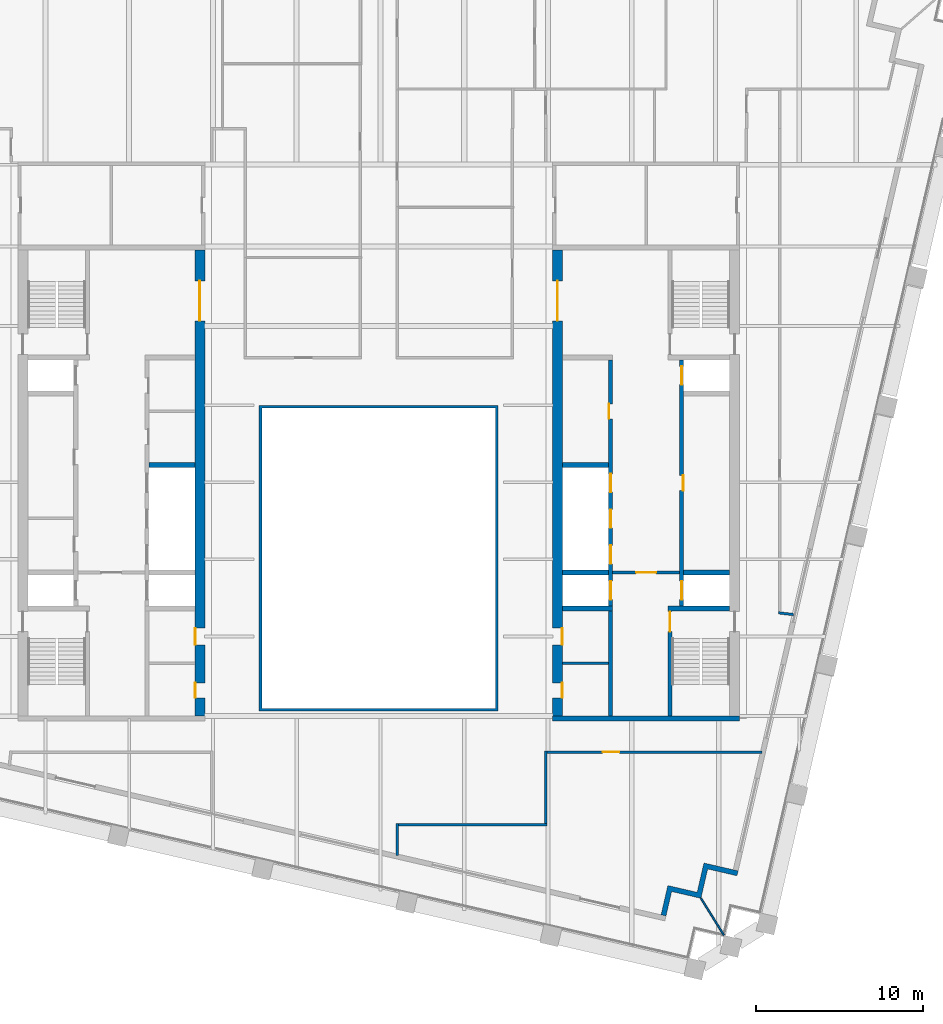
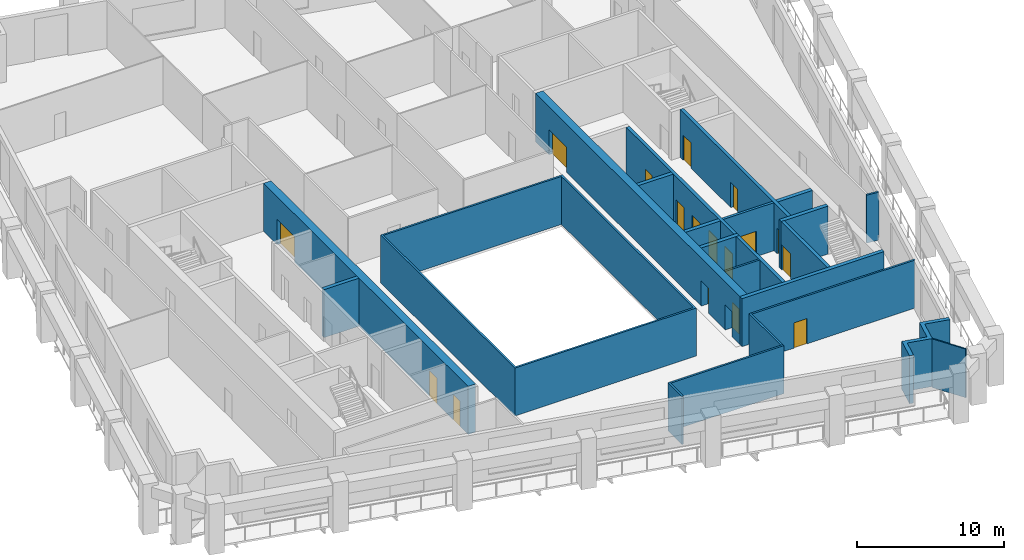
# One storey, part 5 of 11: 22 walls, 17 doors, 17 openings.
"""IFC4 building model written with IfcOpenShell, lengths in metres."""

from ifc_helpers import new_model, si_unit, direction, frame, frame_2d, origin, place, context, subcontext, project, spatial, polyline, rectangle, outline, extrude, material, layer, layer_set, type_object, element, fill, save


model = new_model("IFC4")

# Units and contexts
model_context = context("Model", 3, precision=1e-05, world=origin(), true_north=direction((0.0, 1.0)))
body_context = subcontext(model_context, "Body", "Model", "MODEL_VIEW")
ifc_project = project(units=[si_unit("LENGTHUNIT", "METRE"), si_unit("AREAUNIT", "SQUARE_METRE"), si_unit("VOLUMEUNIT", "CUBIC_METRE"), si_unit("PLANEANGLEUNIT", "RADIAN"), si_unit("MASSUNIT", "GRAM", prefix="KILO")], contexts=[model_context])

# Site, building, storey
site_placement = place(None, origin())
site = spatial("IfcSite", under=ifc_project, at=site_placement, CompositionType="ELEMENT")
building_placement = place(site_placement, origin())
building = spatial("IfcBuilding", under=site, at=building_placement, Name="Ogive Exchange Tower", CompositionType="ELEMENT")
storey_placement = place(building_placement, frame((0.0, 0.0, 247.199951171875)))
storey = spatial("IfcBuildingStorey", under=building, at=storey_placement, Name="L53", CompositionType="ELEMENT", Elevation=247.199951171875)

# Walls
ifc_material_1 = material(Name="Gypsum board partition")
ifc_layer_1 = layer(ifc_material_1, 0.14990234375)
ifc_layer_set_1 = layer_set([ifc_layer_1], Name="Core room partition 150 gypsum")
wall_type_1 = type_object("IfcWallType", Name="Core room partition 150 gypsum", PredefinedType="PARTITIONING", material=ifc_layer_set_1)
wall_1_placement = place(storey_placement, frame((11.0, 0.699951171875, 0.0), z_axis=(0.0, 0.0, 1.0), x_axis=(1.0, 0.0, 0.0)))
element("IfcWall", 1, at=wall_1_placement, inside=storey, type_object=wall_type_1, Name="E south room partition", PredefinedType="PARTITIONING", context=body_context, shape_type="SweptSolid", body=[
    extrude(rectangle(XDim=2.75, YDim=0.14990234375, at=frame_2d((1.375, 0.0))), origin(), (0.0, 0.0, 1.0), 4.0),
])
ifc_material_2 = material(Name="Fire partition EI 60 150")
ifc_layer_2 = layer(ifc_material_2, 0.14990234375)
ifc_layer_set_2 = layer_set([ifc_layer_2], Name="Fire partition EI 60 150")
wall_type_2 = type_object("IfcWallType", Name="Fire partition EI 60 150", PredefinedType="PARTITIONING", material=ifc_layer_set_2)
wall_2_placement = place(storey_placement, frame((1.10009765625, -8.864990234375, 0.0), z_axis=(0.0, 0.0, 1.0), x_axis=(0.0, -1.0, 0.0)))
element("IfcWall", 2, at=wall_2_placement, inside=storey, type_object=wall_type_2, Name="L53-PWL-027", PredefinedType="PARTITIONING", context=body_context, shape_type="SweptSolid", body=[
    extrude(rectangle(XDim=1.9130859375, YDim=0.14990234375, at=frame_2d((0.95654296875, 0.0))), origin(), (0.0, 0.0, 1.0), 4.0),
])
wall_3_placement = place(storey_placement, frame((10.074951171875, -8.93994140625, 0.0), z_axis=(0.0, 0.0, 1.0), x_axis=(-1.0, 0.0, 0.0)))
element("IfcWall", 3, at=wall_3_placement, inside=storey, type_object=wall_type_2, Name="L53-PWL-042", PredefinedType="PARTITIONING", context=body_context, shape_type="SweptSolid", body=[
    extrude(rectangle(XDim=8.89990234375, YDim=0.14990234375, at=frame_2d((4.449951171875, 0.0))), origin(), (0.0, 0.0, 1.0), 4.0),
])
wall_4_placement = place(storey_placement, frame((10.0, -4.52490234375, 0.0), z_axis=(0.0, 0.0, 1.0), x_axis=(0.0, -1.0, 0.0)))
element("IfcWall", 4, at=wall_4_placement, inside=storey, type_object=wall_type_2, Name="L53-PWL-043", PredefinedType="PARTITIONING", context=body_context, shape_type="SweptSolid", body=[
    extrude(rectangle(XDim=4.340087890625, YDim=0.14990234375, at=frame_2d((2.169921875, 0.0))), origin(), (0.0, 0.0, 1.0), 4.0),
])

# Wall, opening, door
wall_5_placement = place(storey_placement, frame((22.922119140625, -4.60009765625, 0.0), z_axis=(0.0, 0.0, 1.0), x_axis=(-1.0, 0.0, 0.0)))
wall_5 = element("IfcWall", 5, at=wall_5_placement, inside=storey, type_object=wall_type_2, Name="L53-PWL-051", PredefinedType="PARTITIONING", context=body_context, shape_type="SweptSolid", body=[
    extrude(rectangle(XDim=12.84716796875, YDim=0.14990234375, at=frame_2d((6.423583984375, 0.0))), origin(), (0.0, 0.0, 1.0), 4.0),
])
opening_1_placement = place(wall_5_placement, frame((8.52197265625, 0.0, 0.0)))
opening_1 = element("IfcOpeningElement", 6, at=opening_1_placement, cuts=wall_5, Name="Opening L53-I15", PredefinedType="OPENING", context=body_context, shape_type="SweptSolid", body=[
    extrude(rectangle(XDim=1.0, YDim=2.10009765625, at=frame_2d((0.5, 1.050048828125))), frame((0.0, 0.0849609375, 0.0), z_axis=(0.0, -1.0, 0.0), x_axis=(1.0, 0.0, 0.0)), (0.0, 0.0, 1.0), 0.169921875),
])
ifc_material_3 = material(Name="Fire door FD 30S 1000 x 2100")
door_type_1 = type_object("IfcDoorType", Name="Fire door FD 30S 1000 x 2100", OperationType="NOTDEFINED", PredefinedType="DOOR", material=ifc_material_3)
door_1_placement = place(opening_1_placement, origin())
door_1 = element("IfcDoor", 7, at=door_1_placement, inside=storey, type_object=door_type_1, Name="L53-IDR-015", ObjectType="DT3", OperationType="SINGLE_SWING_LEFT", OverallHeight=2.10009765625, OverallWidth=1.0, PredefinedType="DOOR", context=body_context, shape_type="SweptSolid", body=[
    extrude(rectangle(XDim=1.0, YDim=2.10009765625, at=frame_2d((0.5, 1.050048828125))), frame((0.0, 0.02490234375, 0.0), z_axis=(0.0, -1.0, 0.0), x_axis=(1.0, 0.0, 0.0)), (0.0, 0.0, 1.0), 0.050048828125),
])
fill(opening_1, door_1)

# Walls
wall_6_placement = place(storey_placement, frame((23.925048828125, 3.72900390625, 0.0), z_axis=(0.0, 0.0, 1.0), x_axis=(0.993316052643, -0.115426251616, 0.0)))
element("IfcWall", 8, at=wall_6_placement, inside=storey, type_object=wall_type_2, Name="L53-PWL-054", PredefinedType="PARTITIONING", context=body_context, shape_type="SweptSolid", body=[
    extrude(rectangle(XDim=0.901123046875, YDim=0.14990234375, at=frame_2d((0.45068359375, 0.0))), origin(), (0.0, 0.0, 1.0), 4.0),
])
ifc_material_4 = material(Name="Fire-resisting glass in steel frame", Category="steel")
ifc_layer_3 = layer(ifc_material_4, 0.14990234375)
ifc_layer_set_3 = layer_set([ifc_layer_3], Name="Fire-rated glazed wall 150")
wall_type_3 = type_object("IfcWallType", Name="Fire-rated glazed wall 150", PredefinedType="STANDARD", material=ifc_layer_set_3)
wall_7_placement = place(storey_placement, origin())
element("IfcWall", 9, at=wall_7_placement, inside=storey, type_object=wall_type_3, Name="Nave enclosure wall", PredefinedType="STANDARD", context=body_context, shape_type="SweptSolid", body=[
    extrude(outline(polyline([(-7.14990234375, -2.14990234375), (7.14990234375, -2.14990234375), (7.14990234375, 16.14990234375), (-7.14990234375, 16.14990234375), (-7.14990234375, -2.14990234375)]), holes=[polyline([(-7.0, -2.0), (-7.0, 16.0), (7.0, 16.0), (7.0, -2.0), (-7.0, -2.0)])]), origin(), (0.0, 0.0, 1.0), 4.0),
])
ifc_material_5 = material(Name="Precast concrete C40/50", Category="concrete")
ifc_layer_4 = layer(ifc_material_5, 0.300048828125)
ifc_layer_set_4 = layer_set([ifc_layer_4], Name="Limestone-faced wall 300")
wall_type_4 = type_object("IfcWallType", Name="Limestone-faced wall 300", PredefinedType="STANDARD", material=ifc_layer_set_4)
wall_8_placement = place(storey_placement, origin())
element("IfcWall", 10, at=wall_8_placement, inside=storey, type_object=wall_type_4, Name="External corner wall C1", PredefinedType="STANDARD", context=body_context, shape_type="SweptSolid", body=[
    extrude(outline(polyline([(19.053955078125, -12.993408203125), (19.458740234375, -11.239501953125), (21.5048828125, -11.7119140625), (21.4375, -12.004150390625), (19.68359375, -11.599365234375), (19.27880859375, -13.353271484375), (17.52490234375, -12.9482421875), (17.1875, -14.409912109375), (16.89501953125, -14.34228515625), (17.300048828125, -12.58837890625), (19.053955078125, -12.993408203125)])), origin(), (0.0, 0.0, 1.0), 4.0),
])
ifc_material_6 = material(Name="Laminated safety glass in steel frame", Category="steel")
ifc_layer_5 = layer(ifc_material_6, 0.10009765625)
ifc_layer_set_5 = layer_set([ifc_layer_5], Name="Loggia end screen 100")
wall_type_5 = type_object("IfcWallType", Name="Loggia end screen 100", PredefinedType="STANDARD", material=ifc_layer_set_5)
wall_9_placement = place(storey_placement, frame((19.27880859375, -13.353271484375, -0.050048828125), z_axis=(0.0, 0.0, 1.0), x_axis=(0.529914407191, -0.848051131154, 0.0)))
element("IfcWall", 11, at=wall_9_placement, inside=storey, type_object=wall_type_5, Name="Loggia end screen C1", PredefinedType="STANDARD", context=body_context, shape_type="SweptSolid", body=[
    extrude(rectangle(XDim=2.59619140625, YDim=0.10009765625, at=frame_2d((1.298095703125, 0.0))), origin(), (0.0, 0.0, 1.0), 4.050048828125),
])

# Wall, opening, door
ifc_material_7 = material(Name="Concrete C70/85", Category="concrete")
ifc_layer_6 = layer(ifc_material_7, 0.199951171875)
ifc_layer_set_6 = layer_set([ifc_layer_6], Name="RC core wall 200 C70/85")
wall_type_6 = type_object("IfcWallType", Name="RC core wall 200 C70/85", PredefinedType="SHEAR", material=ifc_layer_set_6)
wall_10_placement = place(storey_placement, frame((14.0, 6.142822265625, 0.0), z_axis=(0.0, 0.0, 1.0), x_axis=(1.0, 0.0, 0.0)))
wall_10 = element("IfcWall", 12, at=wall_10_placement, inside=storey, type_object=wall_type_6, Name="E firefighting lobby wall", PredefinedType="SHEAR", context=body_context, shape_type="SweptSolid", body=[
    extrude(rectangle(XDim=4.0, YDim=0.199951171875, at=frame_2d((2.0, 0.0))), origin(), (0.0, 0.0, 1.0), 4.0),
])
opening_2_placement = place(wall_10_placement, frame((1.39990234375, 0.0, 0.0)))
opening_2 = element("IfcOpeningElement", 13, at=opening_2_placement, cuts=wall_10, Name="Opening L53-C29", PredefinedType="OPENING", context=body_context, shape_type="SweptSolid", body=[
    extrude(rectangle(XDim=1.199951171875, YDim=2.10009765625, at=frame_2d((0.60009765625, 1.050048828125))), frame((0.0, 0.10986328125, 0.0), z_axis=(0.0, -1.0, 0.0), x_axis=(1.0, 0.0, 0.0)), (0.0, 0.0, 1.0), 0.219970703125),
])
ifc_material_8 = material(Name="Steel fire door", Category="steel")
door_type_2 = type_object("IfcDoorType", Name="Firefighting lobby door FD60 1200 x 2100", OperationType="NOTDEFINED", PredefinedType="DOOR", material=ifc_material_8)
door_2_placement = place(opening_2_placement, frame((1.199951171875, 0.0, 0.0), z_axis=(0.0, 0.0, 1.0), x_axis=(-1.0, 0.0, 0.0)))
door_2 = element("IfcDoor", 14, at=door_2_placement, inside=storey, type_object=door_type_2, Name="Firefighting lobby door", ObjectType="CD3", OperationType="SINGLE_SWING_LEFT", OverallHeight=2.10009765625, OverallWidth=1.199951171875, PredefinedType="DOOR", context=body_context, shape_type="SweptSolid", body=[
    extrude(rectangle(XDim=1.199951171875, YDim=2.10009765625, at=frame_2d((0.60009765625, 1.050048828125))), frame((0.0, 0.02490234375, 0.0), z_axis=(0.0, -1.0, 0.0), x_axis=(1.0, 0.0, 0.0)), (0.0, 0.0, 1.0), 0.050048828125),
])
fill(opening_2, door_2)

ifc_layer_7 = layer(ifc_material_7, 0.25)
ifc_layer_set_7 = layer_set([ifc_layer_7], Name="RC core wall 250 C70/85")
wall_type_7 = type_object("IfcWallType", Name="RC core wall 250 C70/85", PredefinedType="SHEAR", material=ifc_layer_set_7)
wall_11_placement = place(storey_placement, frame((17.425048828125, -2.449951171875, 0.0), z_axis=(0.0, 0.0, 1.0), x_axis=(0.0, 1.0, 0.0)))
wall_11 = element("IfcWall", 15, at=wall_11_placement, inside=storey, type_object=wall_type_7, Name="E stair S front wall", PredefinedType="SHEAR", context=body_context, shape_type="SweptSolid", body=[
    extrude(rectangle(XDim=6.300048828125, YDim=0.25, at=frame_2d((3.14990234375, 0.0))), origin(), (0.0, 0.0, 1.0), 4.0),
])
opening_3_placement = place(wall_11_placement, frame((5.050048828125, 0.0, 0.0)))
opening_3 = element("IfcOpeningElement", 16, at=opening_3_placement, cuts=wall_11, Name="Opening L53-C31", PredefinedType="OPENING", context=body_context, shape_type="SweptSolid", body=[
    extrude(rectangle(XDim=1.199951171875, YDim=2.10009765625, at=frame_2d((0.60009765625, 1.050048828125))), frame((0.0, 0.135009765625, 0.0), z_axis=(0.0, -1.0, 0.0), x_axis=(1.0, 0.0, 0.0)), (0.0, 0.0, 1.0), 0.27001953125),
])
door_type_3 = type_object("IfcDoorType", Name="Stair door FD90 1200 x 2100", OperationType="NOTDEFINED", PredefinedType="DOOR", material=ifc_material_8)
door_3_placement = place(opening_3_placement, frame((1.199951171875, 0.0, 0.0), z_axis=(0.0, 0.0, 1.0), x_axis=(-1.0, 0.0, 0.0)))
door_3 = element("IfcDoor", 17, at=door_3_placement, inside=storey, type_object=door_type_3, Name="Stair door", ObjectType="CD5", OperationType="SINGLE_SWING_RIGHT", OverallHeight=2.10009765625, OverallWidth=1.199951171875, PredefinedType="DOOR", context=body_context, shape_type="SweptSolid", body=[
    extrude(rectangle(XDim=1.199951171875, YDim=2.10009765625, at=frame_2d((0.60009765625, 1.050048828125))), frame((0.0, 0.02490234375, 0.0), z_axis=(0.0, -1.0, 0.0), x_axis=(1.0, 0.0, 0.0)), (0.0, 0.0, 1.0), 0.050048828125),
])
fill(opening_3, door_3)

# Wall, openings, doors
wall_12_placement = place(storey_placement, frame((18.125, 4.14990234375, 0.0), z_axis=(0.0, 0.0, 1.0), x_axis=(0.0, 1.0, 0.0)))
wall_12 = element("IfcWall", 18, at=wall_12_placement, inside=storey, type_object=wall_type_7, Name="E row A front wall", PredefinedType="SHEAR", context=body_context, shape_type="SweptSolid", body=[
    extrude(rectangle(XDim=14.7001953125, YDim=0.25, at=frame_2d((7.35009765625, 0.0))), origin(), (0.0, 0.0, 1.0), 4.0),
])
opening_4_placement = place(wall_12_placement, frame((6.89990234375, 0.0, 0.0)))
opening_4 = element("IfcOpeningElement", 19, at=opening_4_placement, cuts=wall_12, Name="Opening L53-C21", PredefinedType="OPENING", context=body_context, shape_type="SweptSolid", body=[
    extrude(rectangle(XDim=0.89990234375, YDim=2.10009765625, at=frame_2d((0.449951171875, 1.050048828125))), frame((0.0, 0.135009765625, 0.0), z_axis=(0.0, -1.0, 0.0), x_axis=(1.0, 0.0, 0.0)), (0.0, 0.0, 1.0), 0.27001953125),
])
opening_5_placement = place(wall_12_placement, frame((0.371337890625, 0.0, 0.0)))
opening_5 = element("IfcOpeningElement", 20, at=opening_5_placement, cuts=wall_12, Name="Opening L53-C22", PredefinedType="OPENING", context=body_context, shape_type="SweptSolid", body=[
    extrude(rectangle(XDim=1.10009765625, YDim=2.10009765625, at=frame_2d((0.550048828125, 1.050048828125))), frame((0.0, 0.135009765625, 0.0), z_axis=(0.0, -1.0, 0.0), x_axis=(1.0, 0.0, 0.0)), (0.0, 0.0, 1.0), 0.27001953125),
])
opening_6_placement = place(wall_12_placement, frame((13.228515625, 0.0, 0.0)))
opening_6 = element("IfcOpeningElement", 21, at=opening_6_placement, cuts=wall_12, Name="Opening L53-C23", PredefinedType="OPENING", context=body_context, shape_type="SweptSolid", body=[
    extrude(rectangle(XDim=1.10009765625, YDim=2.10009765625, at=frame_2d((0.550048828125, 1.050048828125))), frame((0.0, 0.135009765625, 0.0), z_axis=(0.0, -1.0, 0.0), x_axis=(1.0, 0.0, 0.0)), (0.0, 0.0, 1.0), 0.27001953125),
])
ifc_material_9 = material(Name="Stainless steel", Category="steel")
door_type_4 = type_object("IfcDoorType", Name="Lift landing door FD90 1100 x 2100", OperationType="SLIDING_TO_LEFT", PredefinedType="DOOR", material=ifc_material_9)
door_4_placement = place(opening_5_placement, origin())
door_4 = element("IfcDoor", 22, at=door_4_placement, inside=storey, type_object=door_type_4, Name="Lift landing door FF2", ObjectType="LD", OperationType="SLIDING_TO_LEFT", OverallHeight=2.10009765625, OverallWidth=1.10009765625, PredefinedType="DOOR", context=body_context, shape_type="SweptSolid", body=[
    extrude(rectangle(XDim=1.10009765625, YDim=2.10009765625, at=frame_2d((0.550048828125, 1.050048828125))), frame((0.0, 0.02490234375, 0.0), z_axis=(0.0, -1.0, 0.0), x_axis=(1.0, 0.0, 0.0)), (0.0, 0.0, 1.0), 0.050048828125),
])
fill(opening_5, door_4)
door_5_placement = place(opening_6_placement, origin())
door_5 = element("IfcDoor", 23, at=door_5_placement, inside=storey, type_object=door_type_4, Name="Lift landing door E-SH2", ObjectType="LD", OperationType="SLIDING_TO_LEFT", OverallHeight=2.10009765625, OverallWidth=1.10009765625, PredefinedType="DOOR", context=body_context, shape_type="SweptSolid", body=[
    extrude(rectangle(XDim=1.10009765625, YDim=2.10009765625, at=frame_2d((0.550048828125, 1.050048828125))), frame((0.0, 0.02490234375, 0.0), z_axis=(0.0, -1.0, 0.0), x_axis=(1.0, 0.0, 0.0)), (0.0, 0.0, 1.0), 0.050048828125),
])
fill(opening_6, door_5)
door_type_5 = type_object("IfcDoorType", Name="Riser door FD60 900 x 2100", OperationType="NOTDEFINED", PredefinedType="DOOR", material=ifc_material_8)
door_6_placement = place(opening_4_placement, frame((0.89990234375, -0.2001953125, 0.0), z_axis=(0.0, 0.0, 1.0), x_axis=(-1.0, 0.0, 0.0)))
door_6 = element("IfcDoor", 24, at=door_6_placement, inside=storey, type_object=door_type_5, Name="Riser door", ObjectType="CD2", OperationType="SINGLE_SWING_LEFT", OverallHeight=2.10009765625, OverallWidth=0.89990234375, PredefinedType="DOOR", context=body_context, shape_type="SweptSolid", body=[
    extrude(rectangle(XDim=0.89990234375, YDim=2.10009765625, at=frame_2d((0.449951171875, 1.050048828125))), frame((0.0, -0.0751953125, 0.0), z_axis=(0.0, -1.0, 0.0), x_axis=(1.0, 0.0, 0.0)), (0.0, 0.0, 1.0), 0.050048828125),
])
fill(opening_4, door_6)

wall_13_placement = place(storey_placement, frame((13.875, -2.449951171875, 0.0), z_axis=(0.0, 0.0, 1.0), x_axis=(0.0, 1.0, 0.0)))
wall_13 = element("IfcWall", 25, at=wall_13_placement, inside=storey, type_object=wall_type_7, Name="E row B front wall", PredefinedType="SHEAR", context=body_context, shape_type="SweptSolid", body=[
    extrude(rectangle(XDim=21.300048828125, YDim=0.25, at=frame_2d((10.64990234375, 0.0))), origin(), (0.0, 0.0, 1.0), 4.0),
])
opening_7_placement = place(wall_13_placement, frame((17.78564453125, 0.0, 0.0)))
opening_7 = element("IfcOpeningElement", 26, at=opening_7_placement, cuts=wall_13, Name="Opening L53-C24", PredefinedType="OPENING", context=body_context, shape_type="SweptSolid", body=[
    extrude(rectangle(XDim=0.89990234375, YDim=2.10009765625, at=frame_2d((0.449951171875, 1.050048828125))), frame((0.0, 0.135009765625, 0.0), z_axis=(0.0, -1.0, 0.0), x_axis=(1.0, 0.0, 0.0)), (0.0, 0.0, 1.0), 0.27001953125),
])
opening_8_placement = place(wall_13_placement, frame((6.971435546875, 0.0, 0.0)))
opening_8 = element("IfcOpeningElement", 27, at=opening_8_placement, cuts=wall_13, Name="Opening L53-C25", PredefinedType="OPENING", context=body_context, shape_type="SweptSolid", body=[
    extrude(rectangle(XDim=1.10009765625, YDim=2.10009765625, at=frame_2d((0.550048828125, 1.050048828125))), frame((0.0, 0.135009765625, 0.0), z_axis=(0.0, -1.0, 0.0), x_axis=(1.0, 0.0, 0.0)), (0.0, 0.0, 1.0), 0.27001953125),
])
opening_9_placement = place(wall_13_placement, frame((9.1142578125, 0.0, 0.0)))
opening_9 = element("IfcOpeningElement", 28, at=opening_9_placement, cuts=wall_13, Name="Opening L53-C26", PredefinedType="OPENING", context=body_context, shape_type="SweptSolid", body=[
    extrude(rectangle(XDim=1.10009765625, YDim=2.10009765625, at=frame_2d((0.550048828125, 1.050048828125))), frame((0.0, 0.135009765625, 0.0), z_axis=(0.0, -1.0, 0.0), x_axis=(1.0, 0.0, 0.0)), (0.0, 0.0, 1.0), 0.27001953125),
])
opening_10_placement = place(wall_13_placement, frame((11.257080078125, 0.0, 0.0)))
opening_10 = element("IfcOpeningElement", 29, at=opening_10_placement, cuts=wall_13, Name="Opening L53-C27", PredefinedType="OPENING", context=body_context, shape_type="SweptSolid", body=[
    extrude(rectangle(XDim=1.10009765625, YDim=2.10009765625, at=frame_2d((0.550048828125, 1.050048828125))), frame((0.0, 0.135009765625, 0.0), z_axis=(0.0, -1.0, 0.0), x_axis=(1.0, 0.0, 0.0)), (0.0, 0.0, 1.0), 0.27001953125),
])
opening_11_placement = place(wall_13_placement, frame((13.39990234375, 0.0, 0.0)))
opening_11 = element("IfcOpeningElement", 30, at=opening_11_placement, cuts=wall_13, Name="Opening L53-C28", PredefinedType="OPENING", context=body_context, shape_type="SweptSolid", body=[
    extrude(rectangle(XDim=1.10009765625, YDim=2.10009765625, at=frame_2d((0.550048828125, 1.050048828125))), frame((0.0, 0.135009765625, 0.0), z_axis=(0.0, -1.0, 0.0), x_axis=(1.0, 0.0, 0.0)), (0.0, 0.0, 1.0), 0.27001953125),
])
door_7_placement = place(opening_8_placement, origin())
door_7 = element("IfcDoor", 31, at=door_7_placement, inside=storey, type_object=door_type_4, Name="Lift landing door SV2", ObjectType="LD", OperationType="SLIDING_TO_LEFT", OverallHeight=2.10009765625, OverallWidth=1.10009765625, PredefinedType="DOOR", context=body_context, shape_type="SweptSolid", body=[
    extrude(rectangle(XDim=1.10009765625, YDim=2.10009765625, at=frame_2d((0.550048828125, 1.050048828125))), frame((0.0, 0.02490234375, 0.0), z_axis=(0.0, -1.0, 0.0), x_axis=(1.0, 0.0, 0.0)), (0.0, 0.0, 1.0), 0.050048828125),
])
fill(opening_8, door_7)
door_8_placement = place(opening_9_placement, origin())
door_8 = element("IfcDoor", 32, at=door_8_placement, inside=storey, type_object=door_type_4, Name="Lift landing door E-M1", ObjectType="LD", OperationType="SLIDING_TO_LEFT", OverallHeight=2.10009765625, OverallWidth=1.10009765625, PredefinedType="DOOR", context=body_context, shape_type="SweptSolid", body=[
    extrude(rectangle(XDim=1.10009765625, YDim=2.10009765625, at=frame_2d((0.550048828125, 1.050048828125))), frame((0.0, 0.02490234375, 0.0), z_axis=(0.0, -1.0, 0.0), x_axis=(1.0, 0.0, 0.0)), (0.0, 0.0, 1.0), 0.050048828125),
])
fill(opening_9, door_8)
door_9_placement = place(opening_10_placement, origin())
door_9 = element("IfcDoor", 33, at=door_9_placement, inside=storey, type_object=door_type_4, Name="Lift landing door E-M2", ObjectType="LD", OperationType="SLIDING_TO_LEFT", OverallHeight=2.10009765625, OverallWidth=1.10009765625, PredefinedType="DOOR", context=body_context, shape_type="SweptSolid", body=[
    extrude(rectangle(XDim=1.10009765625, YDim=2.10009765625, at=frame_2d((0.550048828125, 1.050048828125))), frame((0.0, 0.02490234375, 0.0), z_axis=(0.0, -1.0, 0.0), x_axis=(1.0, 0.0, 0.0)), (0.0, 0.0, 1.0), 0.050048828125),
])
fill(opening_10, door_9)
door_10_placement = place(opening_11_placement, origin())
door_10 = element("IfcDoor", 34, at=door_10_placement, inside=storey, type_object=door_type_4, Name="Lift landing door E-M3", ObjectType="LD", OperationType="SLIDING_TO_LEFT", OverallHeight=2.10009765625, OverallWidth=1.10009765625, PredefinedType="DOOR", context=body_context, shape_type="SweptSolid", body=[
    extrude(rectangle(XDim=1.10009765625, YDim=2.10009765625, at=frame_2d((0.550048828125, 1.050048828125))), frame((0.0, 0.02490234375, 0.0), z_axis=(0.0, -1.0, 0.0), x_axis=(1.0, 0.0, 0.0)), (0.0, 0.0, 1.0), 0.050048828125),
])
fill(opening_11, door_10)
door_11_placement = place(opening_7_placement, origin())
door_11 = element("IfcDoor", 35, at=door_11_placement, inside=storey, type_object=door_type_5, Name="Riser door", ObjectType="CD2", OperationType="SINGLE_SWING_LEFT", OverallHeight=2.10009765625, OverallWidth=0.89990234375, PredefinedType="DOOR", context=body_context, shape_type="SweptSolid", body=[
    extrude(rectangle(XDim=0.89990234375, YDim=2.10009765625, at=frame_2d((0.449951171875, 1.050048828125))), frame((0.0, 0.125, 0.0), z_axis=(0.0, -1.0, 0.0), x_axis=(1.0, 0.0, 0.0)), (0.0, 0.0, 1.0), 0.050048828125),
])
fill(opening_7, door_11)

# Walls
ifc_layer_8 = layer(ifc_material_7, 0.300048828125)
ifc_layer_set_8 = layer_set([ifc_layer_8], Name="RC core wall 300 C70/85")
wall_type_8 = type_object("IfcWallType", Name="RC core wall 300 C70/85", PredefinedType="SHEAR", material=ifc_layer_set_8)
wall_14_placement = place(storey_placement, frame((-13.75, 12.5712890625, 0.0), z_axis=(0.0, 0.0, 1.0), x_axis=(1.0, 0.0, 0.0)))
element("IfcWall", 36, at=wall_14_placement, inside=storey, type_object=wall_type_8, Name="W row B divider 4", PredefinedType="SHEAR", context=body_context, shape_type="SweptSolid", body=[
    extrude(rectangle(XDim=2.75, YDim=0.300048828125, at=frame_2d((1.375, 0.0))), origin(), (0.0, 0.0, 1.0), 4.0),
])
wall_15_placement = place(storey_placement, frame((10.39990234375, -2.60009765625, 0.0), z_axis=(0.0, 0.0, 1.0), x_axis=(1.0, 0.0, 0.0)))
element("IfcWall", 37, at=wall_15_placement, inside=storey, type_object=wall_type_8, Name="E south end wall", PredefinedType="SHEAR", context=body_context, shape_type="SweptSolid", body=[
    extrude(rectangle(XDim=11.2001953125, YDim=0.300048828125, at=frame_2d((5.60009765625, 0.0))), origin(), (0.0, 0.0, 1.0), 4.0),
])
wall_16_placement = place(storey_placement, frame((17.300048828125, 4.0, 0.0), z_axis=(0.0, 0.0, 1.0), x_axis=(1.0, 0.0, 0.0)))
element("IfcWall", 38, at=wall_16_placement, inside=storey, type_object=wall_type_8, Name="E stair S north wall", PredefinedType="SHEAR", context=body_context, shape_type="SweptSolid", body=[
    extrude(rectangle(XDim=3.699951171875, YDim=0.300048828125, at=frame_2d((1.85009765625, 0.0))), origin(), (0.0, 0.0, 1.0), 4.0),
])
wall_17_placement = place(storey_placement, frame((18.25, 6.142822265625, 0.0), z_axis=(0.0, 0.0, 1.0), x_axis=(1.0, 0.0, 0.0)))
element("IfcWall", 39, at=wall_17_placement, inside=storey, type_object=wall_type_8, Name="E row A divider 1", PredefinedType="SHEAR", context=body_context, shape_type="SweptSolid", body=[
    extrude(rectangle(XDim=2.75, YDim=0.300048828125, at=frame_2d((1.375, 0.0))), origin(), (0.0, 0.0, 1.0), 4.0),
])
wall_18_placement = place(storey_placement, frame((11.0, 4.0, 0.0), z_axis=(0.0, 0.0, 1.0), x_axis=(1.0, 0.0, 0.0)))
element("IfcWall", 40, at=wall_18_placement, inside=storey, type_object=wall_type_8, Name="E row B divider 0", PredefinedType="SHEAR", context=body_context, shape_type="SweptSolid", body=[
    extrude(rectangle(XDim=3.0, YDim=0.300048828125, at=frame_2d((1.5, 0.0))), origin(), (0.0, 0.0, 1.0), 4.0),
])
for number, where, z_axis, x_axis, name in (
    (41, (11.0, 6.142822265625, 0.0), (0.0, 0.0, 1.0), (1.0, 0.0, 0.0), "E row B divider 1"),
    (42, (11.0, 12.5712890625, 0.0), (0.0, 0.0, 1.0), (1.0, 0.0, 0.0), "E row B divider 4"),
):
    element("IfcWall", number, at=place(storey_placement, frame(where, z_axis=z_axis, x_axis=x_axis)), inside=storey, type_object=wall_type_8, Name=name, PredefinedType="SHEAR", context=body_context, shape_type="SweptSolid", body=[
        extrude(rectangle(XDim=2.75, YDim=0.300048828125, at=frame_2d((1.375, 0.0))), origin(), (0.0, 0.0, 1.0), 4.0),
    ])

# Wall, openings, doors
ifc_layer_9 = layer(ifc_material_7, 0.60009765625)
ifc_layer_set_9 = layer_set([ifc_layer_9], Name="RC core wall 600 C70/85")
wall_type_9 = type_object("IfcWallType", Name="RC core wall 600 C70/85", PredefinedType="SHEAR", material=ifc_layer_set_9)
wall_19_placement = place(storey_placement, frame((-10.699951171875, -2.449951171875, 0.0), z_axis=(0.0, 0.0, 1.0), x_axis=(0.0, 1.0, 0.0)))
wall_19 = element("IfcWall", 43, at=wall_19_placement, inside=storey, type_object=wall_type_9, Name="W inner wall", PredefinedType="SHEAR", context=body_context, shape_type="SweptSolid", body=[
    extrude(rectangle(XDim=27.89990234375, YDim=0.60009765625, at=frame_2d((13.949951171875, 0.0))), origin(), (0.0, 0.0, 1.0), 4.0),
])
opening_12_placement = place(wall_19_placement, frame((23.64990234375, 0.0, 0.0)))
opening_12 = element("IfcOpeningElement", 44, at=opening_12_placement, cuts=wall_19, Name="Opening L53-C12", PredefinedType="OPENING", context=body_context, shape_type="SweptSolid", body=[
    extrude(rectangle(XDim=2.39990234375, YDim=2.10009765625, at=frame_2d((1.199951171875, 1.050048828125))), frame((0.0, 0.31005859375, 0.0), z_axis=(0.0, -1.0, 0.0), x_axis=(1.0, 0.0, 0.0)), (0.0, 0.0, 1.0), 0.6201171875),
])
opening_13_placement = place(wall_19_placement, frame((1.08740234375, 0.0, 0.0)))
opening_13 = element("IfcOpeningElement", 45, at=opening_13_placement, cuts=wall_19, Name="Opening L53-C17", PredefinedType="OPENING", context=body_context, shape_type="SweptSolid", body=[
    extrude(rectangle(XDim=0.89990234375, YDim=2.10009765625, at=frame_2d((0.449951171875, 1.050048828125))), frame((0.0, 0.31005859375, 0.0), z_axis=(0.0, -1.0, 0.0), x_axis=(1.0, 0.0, 0.0)), (0.0, 0.0, 1.0), 0.6201171875),
])
opening_14_placement = place(wall_19_placement, frame((4.262451171875, 0.0, 0.0)))
opening_14 = element("IfcOpeningElement", 46, at=opening_14_placement, cuts=wall_19, Name="Opening L53-C18", PredefinedType="OPENING", context=body_context, shape_type="SweptSolid", body=[
    extrude(rectangle(XDim=1.0, YDim=2.10009765625, at=frame_2d((0.5, 1.050048828125))), frame((0.0, 0.31005859375, 0.0), z_axis=(0.0, -1.0, 0.0), x_axis=(1.0, 0.0, 0.0)), (0.0, 0.0, 1.0), 0.6201171875),
])
ifc_material_10 = material(Name="Timber fire door", Category="wood")
door_type_6 = type_object("IfcDoorType", Name="Accessible WC door FD30S 1000 x 2100", OperationType="NOTDEFINED", PredefinedType="DOOR", material=ifc_material_10)
door_12_placement = place(opening_14_placement, frame((1.0, 0.5498046875, 0.0), z_axis=(0.0, 0.0, 1.0), x_axis=(-1.0, 0.0, 0.0)))
door_12 = element("IfcDoor", 47, at=door_12_placement, inside=storey, type_object=door_type_6, Name="Accessible WC door", ObjectType="CD7", OperationType="SINGLE_SWING_RIGHT", OverallHeight=2.10009765625, OverallWidth=1.0, PredefinedType="DOOR", context=body_context, shape_type="SweptSolid", body=[
    extrude(rectangle(XDim=1.0, YDim=2.10009765625, at=frame_2d((0.5, 1.050048828125))), frame((0.0, 0.2998046875, 0.0), z_axis=(0.0, -1.0, 0.0), x_axis=(1.0, 0.0, 0.0)), (0.0, 0.0, 1.0), 0.050048828125),
])
fill(opening_14, door_12)
door_type_7 = type_object("IfcDoorType", Name="Core room door FD30S 900 x 2100", OperationType="NOTDEFINED", PredefinedType="DOOR", material=ifc_material_10)
door_13_placement = place(opening_13_placement, frame((0.89990234375, 0.5498046875, 0.0), z_axis=(0.0, 0.0, 1.0), x_axis=(-1.0, 0.0, 0.0)))
door_13 = element("IfcDoor", 48, at=door_13_placement, inside=storey, type_object=door_type_7, Name="Core room door", ObjectType="CD6", OperationType="SINGLE_SWING_LEFT", OverallHeight=2.10009765625, OverallWidth=0.89990234375, PredefinedType="DOOR", context=body_context, shape_type="SweptSolid", body=[
    extrude(rectangle(XDim=0.89990234375, YDim=2.10009765625, at=frame_2d((0.449951171875, 1.050048828125))), frame((0.0, 0.2998046875, 0.0), z_axis=(0.0, -1.0, 0.0), x_axis=(1.0, 0.0, 0.0)), (0.0, 0.0, 1.0), 0.050048828125),
])
fill(opening_13, door_13)
ifc_material_11 = material(Name="Glazed steel fire door", Category="steel")
door_type_8 = type_object("IfcDoorType", Name="Lift lobby double door FD60 2400 x 2100", OperationType="DOUBLE_DOOR_SINGLE_SWING", PredefinedType="DOOR", material=ifc_material_11)
door_14_placement = place(opening_12_placement, frame((2.39990234375, 0.0, 0.0), z_axis=(0.0, 0.0, 1.0), x_axis=(-1.0, 0.0, 0.0)))
door_14 = element("IfcDoor", 49, at=door_14_placement, inside=storey, type_object=door_type_8, Name="Lift lobby double door", ObjectType="CD4", OperationType="DOUBLE_DOOR_SINGLE_SWING", OverallHeight=2.10009765625, OverallWidth=2.39990234375, PredefinedType="DOOR", context=body_context, shape_type="SweptSolid", body=[
    extrude(rectangle(XDim=2.39990234375, YDim=2.10009765625, at=frame_2d((1.199951171875, 1.050048828125))), frame((0.0, 0.02490234375, 0.0), z_axis=(0.0, -1.0, 0.0), x_axis=(1.0, 0.0, 0.0)), (0.0, 0.0, 1.0), 0.050048828125),
])
fill(opening_12, door_14)

wall_20_placement = place(storey_placement, frame((10.699951171875, -2.449951171875, 0.0), z_axis=(0.0, 0.0, 1.0), x_axis=(0.0, 1.0, 0.0)))
wall_20 = element("IfcWall", 50, at=wall_20_placement, inside=storey, type_object=wall_type_9, Name="E inner wall", PredefinedType="SHEAR", context=body_context, shape_type="SweptSolid", body=[
    extrude(rectangle(XDim=27.89990234375, YDim=0.60009765625, at=frame_2d((13.949951171875, 0.0))), origin(), (0.0, 0.0, 1.0), 4.0),
])
opening_15_placement = place(wall_20_placement, frame((23.64990234375, 0.0, 0.0)))
opening_15 = element("IfcOpeningElement", 51, at=opening_15_placement, cuts=wall_20, Name="Opening L53-C30", PredefinedType="OPENING", context=body_context, shape_type="SweptSolid", body=[
    extrude(rectangle(XDim=2.39990234375, YDim=2.10009765625, at=frame_2d((1.199951171875, 1.050048828125))), frame((0.0, 0.31005859375, 0.0), z_axis=(0.0, -1.0, 0.0), x_axis=(1.0, 0.0, 0.0)), (0.0, 0.0, 1.0), 0.6201171875),
])
opening_16_placement = place(wall_20_placement, frame((1.08740234375, 0.0, 0.0)))
opening_16 = element("IfcOpeningElement", 52, at=opening_16_placement, cuts=wall_20, Name="Opening L53-C35", PredefinedType="OPENING", context=body_context, shape_type="SweptSolid", body=[
    extrude(rectangle(XDim=0.89990234375, YDim=2.10009765625, at=frame_2d((0.449951171875, 1.050048828125))), frame((0.0, 0.31005859375, 0.0), z_axis=(0.0, -1.0, 0.0), x_axis=(1.0, 0.0, 0.0)), (0.0, 0.0, 1.0), 0.6201171875),
])
opening_17_placement = place(wall_20_placement, frame((4.262451171875, 0.0, 0.0)))
opening_17 = element("IfcOpeningElement", 53, at=opening_17_placement, cuts=wall_20, Name="Opening L53-C36", PredefinedType="OPENING", context=body_context, shape_type="SweptSolid", body=[
    extrude(rectangle(XDim=1.0, YDim=2.10009765625, at=frame_2d((0.5, 1.050048828125))), frame((0.0, 0.31005859375, 0.0), z_axis=(0.0, -1.0, 0.0), x_axis=(1.0, 0.0, 0.0)), (0.0, 0.0, 1.0), 0.6201171875),
])
door_15_placement = place(opening_17_placement, origin())
door_15 = element("IfcDoor", 54, at=door_15_placement, inside=storey, type_object=door_type_6, Name="Accessible WC door", ObjectType="CD7", OperationType="SINGLE_SWING_RIGHT", OverallHeight=2.10009765625, OverallWidth=1.0, PredefinedType="DOOR", context=body_context, shape_type="SweptSolid", body=[
    extrude(rectangle(XDim=1.0, YDim=2.10009765625, at=frame_2d((0.5, 1.050048828125))), frame((0.0, -0.25, 0.0), z_axis=(0.0, -1.0, 0.0), x_axis=(1.0, 0.0, 0.0)), (0.0, 0.0, 1.0), 0.050048828125),
])
fill(opening_17, door_15)
door_16_placement = place(opening_16_placement, origin())
door_16 = element("IfcDoor", 55, at=door_16_placement, inside=storey, type_object=door_type_7, Name="Core room door", ObjectType="CD6", OperationType="SINGLE_SWING_RIGHT", OverallHeight=2.10009765625, OverallWidth=0.89990234375, PredefinedType="DOOR", context=body_context, shape_type="SweptSolid", body=[
    extrude(rectangle(XDim=0.89990234375, YDim=2.10009765625, at=frame_2d((0.449951171875, 1.050048828125))), frame((0.0, -0.25, 0.0), z_axis=(0.0, -1.0, 0.0), x_axis=(1.0, 0.0, 0.0)), (0.0, 0.0, 1.0), 0.050048828125),
])
fill(opening_16, door_16)
door_17_placement = place(opening_15_placement, origin())
door_17 = element("IfcDoor", 56, at=door_17_placement, inside=storey, type_object=door_type_8, Name="Lift lobby double door", ObjectType="CD4", OperationType="DOUBLE_DOOR_SINGLE_SWING", OverallHeight=2.10009765625, OverallWidth=2.39990234375, PredefinedType="DOOR", context=body_context, shape_type="SweptSolid", body=[
    extrude(rectangle(XDim=2.39990234375, YDim=2.10009765625, at=frame_2d((1.199951171875, 1.050048828125))), frame((0.0, 0.02490234375, 0.0), z_axis=(0.0, -1.0, 0.0), x_axis=(1.0, 0.0, 0.0)), (0.0, 0.0, 1.0), 0.050048828125),
])
fill(opening_15, door_17)

save(model, "model.ifc")
